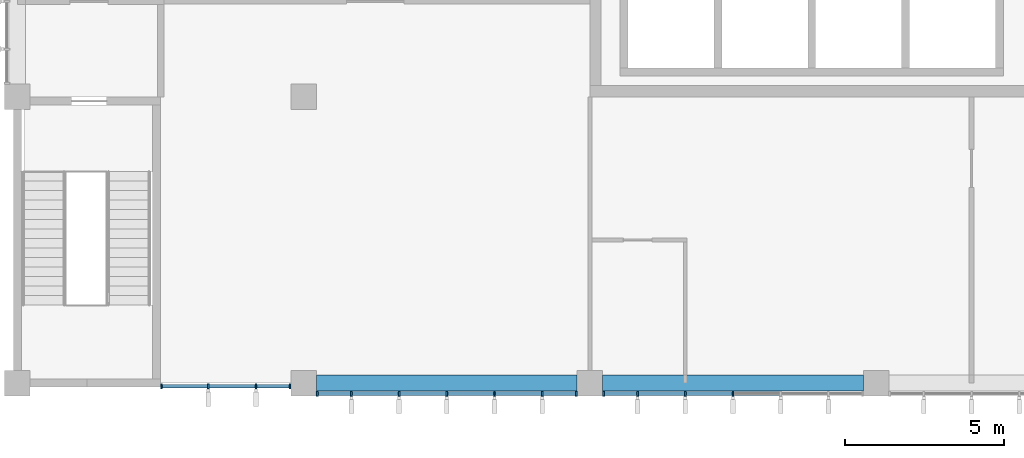
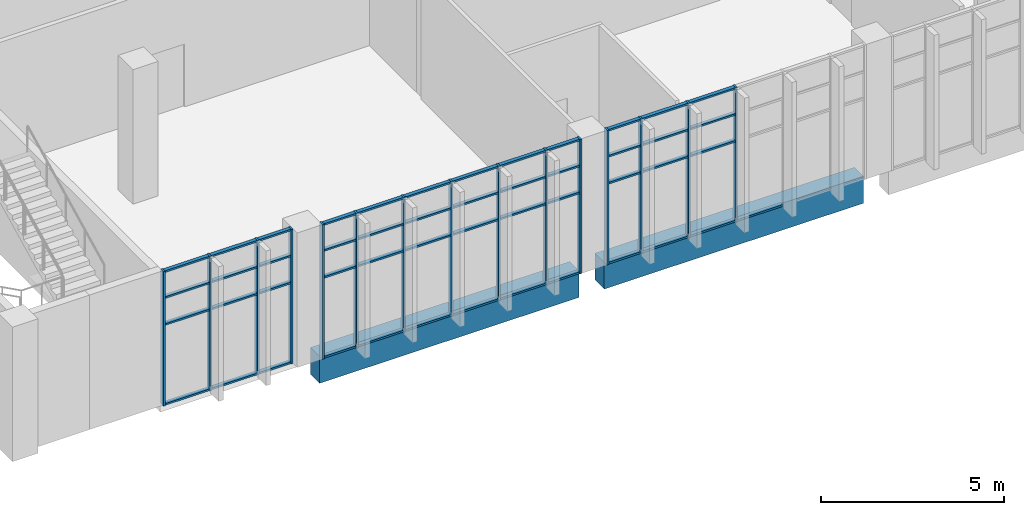
# One storey, part 19 of 43: 64 members, 2 beams, 3 elements without a shape of their own.
"""IFC4 building model written with IfcOpenShell, lengths in metres."""

from ifc_helpers import new_model, si_unit, direction, frame, origin, origin_2d, place, context, subcontext, project, spatial, rectangle, extrude, material, layer, layer_set, material_profile, profile_set, type_object, element, aggregate, save


model = new_model("IFC4")

# Units and contexts
model_context = context("Model", 3, precision=1e-05, world=origin(), true_north=direction((0.0, 1.0)))
body_context = subcontext(model_context, "Body", "Model", "MODEL_VIEW")
ifc_project = project(units=[si_unit("LENGTHUNIT", "METRE"), si_unit("AREAUNIT", "SQUARE_METRE"), si_unit("VOLUMEUNIT", "CUBIC_METRE"), si_unit("PLANEANGLEUNIT", "RADIAN"), si_unit("MASSUNIT", "GRAM", prefix="KILO")], contexts=[model_context])

# Site, building, storey
site_placement = place(None, origin())
site = spatial("IfcSite", under=ifc_project, at=site_placement, CompositionType="ELEMENT")
building_placement = place(site_placement, origin())
building = spatial("IfcBuilding", under=site, at=building_placement, Name="Guidao Yard Department Store", CompositionType="ELEMENT")
storey_placement = place(building_placement, frame((0.0, 0.0, 28.5)))
storey = spatial("IfcBuildingStorey", under=building, at=storey_placement, Name="L06", CompositionType="ELEMENT", Elevation=28.5)

# Curtain wall, members
ifc_material_1 = material(Name="Aluminium and glass", Category="aluminium")
ifc_layer = layer(ifc_material_1, 0.159912109375)
ifc_layer_set = layer_set([ifc_layer], Name="Unitised curtain wall CW4 1500 module")
curtain_wall_type = type_object("IfcCurtainWallType", Name="Unitised curtain wall CW4 1500 module", PredefinedType="NOTDEFINED", material=ifc_layer_set)
curtain_wall_1_placement = place(storey_placement, origin())
curtain_wall_1 = element("IfcCurtainWall", 1, at=curtain_wall_1_placement, inside=storey, type_object=curtain_wall_type, Name="Unitised curtain wall", PredefinedType="NOTDEFINED")
ifc_material_2 = material(Name="Aluminium 6063-T5", Category="aluminium")
ifc_material_profile_1 = material_profile(ifc_material_2, rectangle(XDim=0.06005859375, YDim=0.159912109375, at=origin_2d()), Name="Mullion M1 60 x 160 aluminium pressure plate")
ifc_profile_set_1 = profile_set([ifc_material_profile_1], Name="Aluminium 6063-T5")
member_type_1 = type_object("IfcMemberType", Name="Mullion M1 60 x 160 aluminium pressure plate", PredefinedType="MULLION", material=ifc_profile_set_1)
member_1_placement = place(storey_placement, frame((130.530029296875, -0.10009765625, 0.0), z_axis=(0.0, 0.0, 1.0), x_axis=(-1.0, 0.0, 0.0)))
member_1 = element("IfcMember", 2, at=member_1_placement, type_object=member_type_1, Name="CW-OW-L06-01 mullion 1", PredefinedType="MULLION", context=body_context, shape_type="SweptSolid", body=[
    extrude(rectangle(XDim=0.06005859375, YDim=0.159912109375, at=origin_2d()), origin(), (0.0, 0.0, 1.0), 4.5),
])
member_2_placement = place(storey_placement, frame((132.0, -0.10009765625, 0.0), z_axis=(0.0, 0.0, 1.0), x_axis=(-1.0, 0.0, 0.0)))
member_2 = element("IfcMember", 3, at=member_2_placement, type_object=member_type_1, Name="CW-OW-L06-01 mullion 2", PredefinedType="MULLION", context=body_context, shape_type="SweptSolid", body=[
    extrude(rectangle(XDim=0.06005859375, YDim=0.159912109375, at=origin_2d()), origin(), (0.0, 0.0, 1.0), 4.5),
])
member_3_placement = place(storey_placement, frame((133.5, -0.10009765625, 0.0), z_axis=(0.0, 0.0, 1.0), x_axis=(-1.0, 0.0, 0.0)))
member_3 = element("IfcMember", 4, at=member_3_placement, type_object=member_type_1, Name="CW-OW-L06-01 mullion 3", PredefinedType="MULLION", context=body_context, shape_type="SweptSolid", body=[
    extrude(rectangle(XDim=0.06005859375, YDim=0.159912109375, at=origin_2d()), origin(), (0.0, 0.0, 1.0), 4.5),
])
member_4_placement = place(storey_placement, frame((134.570068359375, -0.10009765625, 0.0), z_axis=(0.0, 0.0, 1.0), x_axis=(-1.0, 0.0, 0.0)))
member_4 = element("IfcMember", 5, at=member_4_placement, type_object=member_type_1, Name="CW-OW-L06-01 mullion 4", PredefinedType="MULLION", context=body_context, shape_type="SweptSolid", body=[
    extrude(rectangle(XDim=0.06005859375, YDim=0.159912109375, at=origin_2d()), origin(), (0.0, 0.0, 1.0), 4.5),
])

curtain_wall_2_placement = place(storey_placement, origin())
curtain_wall_2 = element("IfcCurtainWall", 6, at=curtain_wall_2_placement, inside=storey, type_object=curtain_wall_type, Name="Unitised curtain wall", PredefinedType="NOTDEFINED")
member_5_placement = place(storey_placement, frame((135.429931640625, -0.330078125, 0.0), z_axis=(0.0, 0.0, 1.0), x_axis=(-1.0, 0.0, 0.0)))
member_5 = element("IfcMember", 7, at=member_5_placement, type_object=member_type_1, Name="CW-OW-L06-02 mullion 1", PredefinedType="MULLION", context=body_context, shape_type="SweptSolid", body=[
    extrude(rectangle(XDim=0.06005859375, YDim=0.159912109375, at=origin_2d()), origin(), (0.0, 0.0, 1.0), 4.5),
])
member_6_placement = place(storey_placement, frame((136.5, -0.330078125, 0.0), z_axis=(0.0, 0.0, 1.0), x_axis=(-1.0, 0.0, 0.0)))
member_6 = element("IfcMember", 8, at=member_6_placement, type_object=member_type_1, Name="CW-OW-L06-02 mullion 2", PredefinedType="MULLION", context=body_context, shape_type="SweptSolid", body=[
    extrude(rectangle(XDim=0.06005859375, YDim=0.159912109375, at=origin_2d()), origin(), (0.0, 0.0, 1.0), 4.5),
])
member_7_placement = place(storey_placement, frame((138.0, -0.330078125, 0.0), z_axis=(0.0, 0.0, 1.0), x_axis=(-1.0, 0.0, 0.0)))
member_7 = element("IfcMember", 9, at=member_7_placement, type_object=member_type_1, Name="CW-OW-L06-02 mullion 3", PredefinedType="MULLION", context=body_context, shape_type="SweptSolid", body=[
    extrude(rectangle(XDim=0.06005859375, YDim=0.159912109375, at=origin_2d()), origin(), (0.0, 0.0, 1.0), 4.5),
])
member_8_placement = place(storey_placement, frame((139.5, -0.330078125, 0.0), z_axis=(0.0, 0.0, 1.0), x_axis=(-1.0, 0.0, 0.0)))
member_8 = element("IfcMember", 10, at=member_8_placement, type_object=member_type_1, Name="CW-OW-L06-02 mullion 4", PredefinedType="MULLION", context=body_context, shape_type="SweptSolid", body=[
    extrude(rectangle(XDim=0.06005859375, YDim=0.159912109375, at=origin_2d()), origin(), (0.0, 0.0, 1.0), 4.5),
])
member_9_placement = place(storey_placement, frame((141.0, -0.330078125, 0.0), z_axis=(0.0, 0.0, 1.0), x_axis=(-1.0, 0.0, 0.0)))
member_9 = element("IfcMember", 11, at=member_9_placement, type_object=member_type_1, Name="CW-OW-L06-02 mullion 5", PredefinedType="MULLION", context=body_context, shape_type="SweptSolid", body=[
    extrude(rectangle(XDim=0.06005859375, YDim=0.159912109375, at=origin_2d()), origin(), (0.0, 0.0, 1.0), 4.5),
])
member_10_placement = place(storey_placement, frame((142.5, -0.330078125, 0.0), z_axis=(0.0, 0.0, 1.0), x_axis=(-1.0, 0.0, 0.0)))
member_10 = element("IfcMember", 12, at=member_10_placement, type_object=member_type_1, Name="CW-OW-L06-02 mullion 6", PredefinedType="MULLION", context=body_context, shape_type="SweptSolid", body=[
    extrude(rectangle(XDim=0.06005859375, YDim=0.159912109375, at=origin_2d()), origin(), (0.0, 0.0, 1.0), 4.5),
])
member_11_placement = place(storey_placement, frame((143.570068359375, -0.330078125, 0.0), z_axis=(0.0, 0.0, 1.0), x_axis=(-1.0, 0.0, 0.0)))
member_11 = element("IfcMember", 13, at=member_11_placement, type_object=member_type_1, Name="CW-OW-L06-02 mullion 7", PredefinedType="MULLION", context=body_context, shape_type="SweptSolid", body=[
    extrude(rectangle(XDim=0.06005859375, YDim=0.159912109375, at=origin_2d()), origin(), (0.0, 0.0, 1.0), 4.5),
])

curtain_wall_3_placement = place(storey_placement, origin())
curtain_wall_3 = element("IfcCurtainWall", 14, at=curtain_wall_3_placement, inside=storey, type_object=curtain_wall_type, Name="Unitised curtain wall", PredefinedType="NOTDEFINED")
member_12_placement = place(storey_placement, frame((144.429931640625, -0.330078125, 0.0), z_axis=(0.0, 0.0, 1.0), x_axis=(-1.0, 0.0, 0.0)))
member_12 = element("IfcMember", 15, at=member_12_placement, type_object=member_type_1, Name="CW-OW-L06-03 mullion 1", PredefinedType="MULLION", context=body_context, shape_type="SweptSolid", body=[
    extrude(rectangle(XDim=0.06005859375, YDim=0.159912109375, at=origin_2d()), origin(), (0.0, 0.0, 1.0), 4.5),
])
member_13_placement = place(storey_placement, frame((145.5, -0.330078125, 0.0), z_axis=(0.0, 0.0, 1.0), x_axis=(-1.0, 0.0, 0.0)))
member_13 = element("IfcMember", 16, at=member_13_placement, type_object=member_type_1, Name="CW-OW-L06-03 mullion 2", PredefinedType="MULLION", context=body_context, shape_type="SweptSolid", body=[
    extrude(rectangle(XDim=0.06005859375, YDim=0.159912109375, at=origin_2d()), origin(), (0.0, 0.0, 1.0), 4.5),
])
member_14_placement = place(storey_placement, frame((147.0, -0.330078125, 0.0), z_axis=(0.0, 0.0, 1.0), x_axis=(-1.0, 0.0, 0.0)))
member_14 = element("IfcMember", 17, at=member_14_placement, type_object=member_type_1, Name="CW-OW-L06-03 mullion 3", PredefinedType="MULLION", context=body_context, shape_type="SweptSolid", body=[
    extrude(rectangle(XDim=0.06005859375, YDim=0.159912109375, at=origin_2d()), origin(), (0.0, 0.0, 1.0), 4.5),
])
member_15_placement = place(storey_placement, frame((148.5, -0.330078125, 0.0), z_axis=(0.0, 0.0, 1.0), x_axis=(-1.0, 0.0, 0.0)))
member_15 = element("IfcMember", 18, at=member_15_placement, type_object=member_type_1, Name="CW-OW-L06-03 mullion 4", PredefinedType="MULLION", context=body_context, shape_type="SweptSolid", body=[
    extrude(rectangle(XDim=0.06005859375, YDim=0.159912109375, at=origin_2d()), origin(), (0.0, 0.0, 1.0), 4.5),
])

# Beams
ifc_material_3 = material(Name="Concrete C40", Category="concrete")
ifc_material_profile_2 = material_profile(ifc_material_3, rectangle(XDim=0.5, YDim=0.89990234375, at=origin_2d()), Name="Spandrel beam 500 x 900 C40")
ifc_profile_set_2 = profile_set([ifc_material_profile_2], Name="Concrete C40")
beam_type = type_object("IfcBeamType", Name="Spandrel beam 500 x 900 C40", PredefinedType="SPANDREL", material=ifc_profile_set_2)
for number, where, z_axis, x_axis, name in (
    (19, (135.39990234375, 0.0, -0.449951171875), (1.0, 0.0, 0.0), (0.0, 1.0, 0.0), "Beam FB01"),
    (20, (144.39990234375, 0.0, -0.449951171875), (1.0, 0.0, 0.0), (0.0, 1.0, 0.0), "Beam FB02"),
):
    element("IfcBeam", number, at=place(storey_placement, frame(where, z_axis=z_axis, x_axis=x_axis)), inside=storey, type_object=beam_type, Name=name, PredefinedType="SPANDREL", context=body_context, shape_type="SweptSolid", body=[
        extrude(rectangle(XDim=0.5, YDim=0.89990234375, at=origin_2d()), origin(), (0.0, 0.0, 1.0), 8.2001953125),
    ])

# Member
ifc_material_4 = material(Name="Aluminium 6063-T5", Category="aluminium")
ifc_material_profile_3 = material_profile(ifc_material_4, rectangle(XDim=0.1201171875, YDim=0.06005859375, at=origin_2d()), Name="Transom T1 60 x 120 aluminium pressure plate")
ifc_profile_set_3 = profile_set([ifc_material_profile_3], Name="Aluminium 6063-T5")
member_type_2 = type_object("IfcMemberType", Name="Transom T1 60 x 120 aluminium pressure plate", PredefinedType="USERDEFINED", material=ifc_profile_set_3)
member_16_placement = place(storey_placement, frame((131.969970703125, -0.10009765625, 0.030029296875), z_axis=(-1.0, 0.0, 0.0), x_axis=(0.0, -1.0, 0.0)))
member_16 = element("IfcMember", 21, at=member_16_placement, type_object=member_type_2, Name="CW-OW-L06-01 transom 1.1", ObjectType="TRANSOM", PredefinedType="USERDEFINED", context=body_context, shape_type="SweptSolid", body=[
    extrude(rectangle(XDim=0.1201171875, YDim=0.06005859375, at=origin_2d()), origin(), (0.0, 0.0, 1.0), 1.409912109375),
])

member_17_placement = place(storey_placement, frame((131.969970703125, -0.10009765625, 2.699951171875), z_axis=(-1.0, 0.0, 0.0), x_axis=(0.0, -1.0, 0.0)))
member_17 = element("IfcMember", 22, at=member_17_placement, type_object=member_type_2, Name="CW-OW-L06-01 transom 1.2", ObjectType="TRANSOM", PredefinedType="USERDEFINED", context=body_context, shape_type="SweptSolid", body=[
    extrude(rectangle(XDim=0.1201171875, YDim=0.06005859375, at=origin_2d()), origin(), (0.0, 0.0, 1.0), 1.409912109375),
])

member_18_placement = place(storey_placement, frame((131.969970703125, -0.10009765625, 3.60009765625), z_axis=(-1.0, 0.0, 0.0), x_axis=(0.0, -1.0, 0.0)))
member_18 = element("IfcMember", 23, at=member_18_placement, type_object=member_type_2, Name="CW-OW-L06-01 transom 1.3", ObjectType="TRANSOM", PredefinedType="USERDEFINED", context=body_context, shape_type="SweptSolid", body=[
    extrude(rectangle(XDim=0.1201171875, YDim=0.06005859375, at=origin_2d()), origin(), (0.0, 0.0, 1.0), 1.409912109375),
])

member_19_placement = place(storey_placement, frame((131.969970703125, -0.10009765625, 4.469970703125), z_axis=(-1.0, 0.0, 0.0), x_axis=(0.0, -1.0, 0.0)))
member_19 = element("IfcMember", 24, at=member_19_placement, type_object=member_type_2, Name="CW-OW-L06-01 transom 1.4", ObjectType="TRANSOM", PredefinedType="USERDEFINED", context=body_context, shape_type="SweptSolid", body=[
    extrude(rectangle(XDim=0.1201171875, YDim=0.06005859375, at=origin_2d()), origin(), (0.0, 0.0, 1.0), 1.409912109375),
])

member_20_placement = place(storey_placement, frame((133.469970703125, -0.10009765625, 0.030029296875), z_axis=(-1.0, 0.0, 0.0), x_axis=(0.0, -1.0, 0.0)))
member_20 = element("IfcMember", 25, at=member_20_placement, type_object=member_type_2, Name="CW-OW-L06-01 transom 2.1", ObjectType="TRANSOM", PredefinedType="USERDEFINED", context=body_context, shape_type="SweptSolid", body=[
    extrude(rectangle(XDim=0.1201171875, YDim=0.06005859375, at=origin_2d()), origin(), (0.0, 0.0, 1.0), 1.43994140625),
])

member_21_placement = place(storey_placement, frame((133.469970703125, -0.10009765625, 2.699951171875), z_axis=(-1.0, 0.0, 0.0), x_axis=(0.0, -1.0, 0.0)))
member_21 = element("IfcMember", 26, at=member_21_placement, type_object=member_type_2, Name="CW-OW-L06-01 transom 2.2", ObjectType="TRANSOM", PredefinedType="USERDEFINED", context=body_context, shape_type="SweptSolid", body=[
    extrude(rectangle(XDim=0.1201171875, YDim=0.06005859375, at=origin_2d()), origin(), (0.0, 0.0, 1.0), 1.43994140625),
])

member_22_placement = place(storey_placement, frame((133.469970703125, -0.10009765625, 3.60009765625), z_axis=(-1.0, 0.0, 0.0), x_axis=(0.0, -1.0, 0.0)))
member_22 = element("IfcMember", 27, at=member_22_placement, type_object=member_type_2, Name="CW-OW-L06-01 transom 2.3", ObjectType="TRANSOM", PredefinedType="USERDEFINED", context=body_context, shape_type="SweptSolid", body=[
    extrude(rectangle(XDim=0.1201171875, YDim=0.06005859375, at=origin_2d()), origin(), (0.0, 0.0, 1.0), 1.43994140625),
])

member_23_placement = place(storey_placement, frame((133.469970703125, -0.10009765625, 4.469970703125), z_axis=(-1.0, 0.0, 0.0), x_axis=(0.0, -1.0, 0.0)))
member_23 = element("IfcMember", 28, at=member_23_placement, type_object=member_type_2, Name="CW-OW-L06-01 transom 2.4", ObjectType="TRANSOM", PredefinedType="USERDEFINED", context=body_context, shape_type="SweptSolid", body=[
    extrude(rectangle(XDim=0.1201171875, YDim=0.06005859375, at=origin_2d()), origin(), (0.0, 0.0, 1.0), 1.43994140625),
])

member_24_placement = place(storey_placement, frame((134.5400390625, -0.10009765625, 0.030029296875), z_axis=(-1.0, 0.0, 0.0), x_axis=(0.0, -1.0, 0.0)))
member_24 = element("IfcMember", 29, at=member_24_placement, type_object=member_type_2, Name="CW-OW-L06-01 transom 3.1", ObjectType="TRANSOM", PredefinedType="USERDEFINED", context=body_context, shape_type="SweptSolid", body=[
    extrude(rectangle(XDim=0.1201171875, YDim=0.06005859375, at=origin_2d()), origin(), (0.0, 0.0, 1.0), 1.010009765625),
])

member_25_placement = place(storey_placement, frame((134.5400390625, -0.10009765625, 2.699951171875), z_axis=(-1.0, 0.0, 0.0), x_axis=(0.0, -1.0, 0.0)))
member_25 = element("IfcMember", 30, at=member_25_placement, type_object=member_type_2, Name="CW-OW-L06-01 transom 3.2", ObjectType="TRANSOM", PredefinedType="USERDEFINED", context=body_context, shape_type="SweptSolid", body=[
    extrude(rectangle(XDim=0.1201171875, YDim=0.06005859375, at=origin_2d()), origin(), (0.0, 0.0, 1.0), 1.010009765625),
])

member_26_placement = place(storey_placement, frame((134.5400390625, -0.10009765625, 3.60009765625), z_axis=(-1.0, 0.0, 0.0), x_axis=(0.0, -1.0, 0.0)))
member_26 = element("IfcMember", 31, at=member_26_placement, type_object=member_type_2, Name="CW-OW-L06-01 transom 3.3", ObjectType="TRANSOM", PredefinedType="USERDEFINED", context=body_context, shape_type="SweptSolid", body=[
    extrude(rectangle(XDim=0.1201171875, YDim=0.06005859375, at=origin_2d()), origin(), (0.0, 0.0, 1.0), 1.010009765625),
])

member_27_placement = place(storey_placement, frame((134.5400390625, -0.10009765625, 4.469970703125), z_axis=(-1.0, 0.0, 0.0), x_axis=(0.0, -1.0, 0.0)))
member_27 = element("IfcMember", 32, at=member_27_placement, type_object=member_type_2, Name="CW-OW-L06-01 transom 3.4", ObjectType="TRANSOM", PredefinedType="USERDEFINED", context=body_context, shape_type="SweptSolid", body=[
    extrude(rectangle(XDim=0.1201171875, YDim=0.06005859375, at=origin_2d()), origin(), (0.0, 0.0, 1.0), 1.010009765625),
])

aggregate(curtain_wall_1, [member_1, member_2, member_3, member_4, member_16, member_17, member_18, member_19, member_20, member_21, member_22, member_23, member_24, member_25, member_26, member_27])

member_28_placement = place(storey_placement, frame((136.469970703125, -0.330078125, 0.030029296875), z_axis=(-1.0, 0.0, 0.0), x_axis=(0.0, -1.0, 0.0)))
member_28 = element("IfcMember", 33, at=member_28_placement, type_object=member_type_2, Name="CW-OW-L06-02 transom 1.1", ObjectType="TRANSOM", PredefinedType="USERDEFINED", context=body_context, shape_type="SweptSolid", body=[
    extrude(rectangle(XDim=0.1201171875, YDim=0.06005859375, at=origin_2d()), origin(), (0.0, 0.0, 1.0), 1.010009765625),
])

member_29_placement = place(storey_placement, frame((136.469970703125, -0.330078125, 2.699951171875), z_axis=(-1.0, 0.0, 0.0), x_axis=(0.0, -1.0, 0.0)))
member_29 = element("IfcMember", 34, at=member_29_placement, type_object=member_type_2, Name="CW-OW-L06-02 transom 1.2", ObjectType="TRANSOM", PredefinedType="USERDEFINED", context=body_context, shape_type="SweptSolid", body=[
    extrude(rectangle(XDim=0.1201171875, YDim=0.06005859375, at=origin_2d()), origin(), (0.0, 0.0, 1.0), 1.010009765625),
])

member_30_placement = place(storey_placement, frame((136.469970703125, -0.330078125, 3.60009765625), z_axis=(-1.0, 0.0, 0.0), x_axis=(0.0, -1.0, 0.0)))
member_30 = element("IfcMember", 35, at=member_30_placement, type_object=member_type_2, Name="CW-OW-L06-02 transom 1.3", ObjectType="TRANSOM", PredefinedType="USERDEFINED", context=body_context, shape_type="SweptSolid", body=[
    extrude(rectangle(XDim=0.1201171875, YDim=0.06005859375, at=origin_2d()), origin(), (0.0, 0.0, 1.0), 1.010009765625),
])

member_31_placement = place(storey_placement, frame((136.469970703125, -0.330078125, 4.469970703125), z_axis=(-1.0, 0.0, 0.0), x_axis=(0.0, -1.0, 0.0)))
member_31 = element("IfcMember", 36, at=member_31_placement, type_object=member_type_2, Name="CW-OW-L06-02 transom 1.4", ObjectType="TRANSOM", PredefinedType="USERDEFINED", context=body_context, shape_type="SweptSolid", body=[
    extrude(rectangle(XDim=0.1201171875, YDim=0.06005859375, at=origin_2d()), origin(), (0.0, 0.0, 1.0), 1.010009765625),
])

member_32_placement = place(storey_placement, frame((137.969970703125, -0.330078125, 0.030029296875), z_axis=(-1.0, 0.0, 0.0), x_axis=(0.0, -1.0, 0.0)))
member_32 = element("IfcMember", 37, at=member_32_placement, type_object=member_type_2, Name="CW-OW-L06-02 transom 2.1", ObjectType="TRANSOM", PredefinedType="USERDEFINED", context=body_context, shape_type="SweptSolid", body=[
    extrude(rectangle(XDim=0.1201171875, YDim=0.06005859375, at=origin_2d()), origin(), (0.0, 0.0, 1.0), 1.43994140625),
])

member_33_placement = place(storey_placement, frame((137.969970703125, -0.330078125, 2.699951171875), z_axis=(-1.0, 0.0, 0.0), x_axis=(0.0, -1.0, 0.0)))
member_33 = element("IfcMember", 38, at=member_33_placement, type_object=member_type_2, Name="CW-OW-L06-02 transom 2.2", ObjectType="TRANSOM", PredefinedType="USERDEFINED", context=body_context, shape_type="SweptSolid", body=[
    extrude(rectangle(XDim=0.1201171875, YDim=0.06005859375, at=origin_2d()), origin(), (0.0, 0.0, 1.0), 1.43994140625),
])

member_34_placement = place(storey_placement, frame((137.969970703125, -0.330078125, 3.60009765625), z_axis=(-1.0, 0.0, 0.0), x_axis=(0.0, -1.0, 0.0)))
member_34 = element("IfcMember", 39, at=member_34_placement, type_object=member_type_2, Name="CW-OW-L06-02 transom 2.3", ObjectType="TRANSOM", PredefinedType="USERDEFINED", context=body_context, shape_type="SweptSolid", body=[
    extrude(rectangle(XDim=0.1201171875, YDim=0.06005859375, at=origin_2d()), origin(), (0.0, 0.0, 1.0), 1.43994140625),
])

member_35_placement = place(storey_placement, frame((137.969970703125, -0.330078125, 4.469970703125), z_axis=(-1.0, 0.0, 0.0), x_axis=(0.0, -1.0, 0.0)))
member_35 = element("IfcMember", 40, at=member_35_placement, type_object=member_type_2, Name="CW-OW-L06-02 transom 2.4", ObjectType="TRANSOM", PredefinedType="USERDEFINED", context=body_context, shape_type="SweptSolid", body=[
    extrude(rectangle(XDim=0.1201171875, YDim=0.06005859375, at=origin_2d()), origin(), (0.0, 0.0, 1.0), 1.43994140625),
])

member_36_placement = place(storey_placement, frame((139.469970703125, -0.330078125, 0.030029296875), z_axis=(-1.0, 0.0, 0.0), x_axis=(0.0, -1.0, 0.0)))
member_36 = element("IfcMember", 41, at=member_36_placement, type_object=member_type_2, Name="CW-OW-L06-02 transom 3.1", ObjectType="TRANSOM", PredefinedType="USERDEFINED", context=body_context, shape_type="SweptSolid", body=[
    extrude(rectangle(XDim=0.1201171875, YDim=0.06005859375, at=origin_2d()), origin(), (0.0, 0.0, 1.0), 1.43994140625),
])

member_37_placement = place(storey_placement, frame((139.469970703125, -0.330078125, 2.699951171875), z_axis=(-1.0, 0.0, 0.0), x_axis=(0.0, -1.0, 0.0)))
member_37 = element("IfcMember", 42, at=member_37_placement, type_object=member_type_2, Name="CW-OW-L06-02 transom 3.2", ObjectType="TRANSOM", PredefinedType="USERDEFINED", context=body_context, shape_type="SweptSolid", body=[
    extrude(rectangle(XDim=0.1201171875, YDim=0.06005859375, at=origin_2d()), origin(), (0.0, 0.0, 1.0), 1.43994140625),
])

member_38_placement = place(storey_placement, frame((139.469970703125, -0.330078125, 3.60009765625), z_axis=(-1.0, 0.0, 0.0), x_axis=(0.0, -1.0, 0.0)))
member_38 = element("IfcMember", 43, at=member_38_placement, type_object=member_type_2, Name="CW-OW-L06-02 transom 3.3", ObjectType="TRANSOM", PredefinedType="USERDEFINED", context=body_context, shape_type="SweptSolid", body=[
    extrude(rectangle(XDim=0.1201171875, YDim=0.06005859375, at=origin_2d()), origin(), (0.0, 0.0, 1.0), 1.43994140625),
])

member_39_placement = place(storey_placement, frame((139.469970703125, -0.330078125, 4.469970703125), z_axis=(-1.0, 0.0, 0.0), x_axis=(0.0, -1.0, 0.0)))
member_39 = element("IfcMember", 44, at=member_39_placement, type_object=member_type_2, Name="CW-OW-L06-02 transom 3.4", ObjectType="TRANSOM", PredefinedType="USERDEFINED", context=body_context, shape_type="SweptSolid", body=[
    extrude(rectangle(XDim=0.1201171875, YDim=0.06005859375, at=origin_2d()), origin(), (0.0, 0.0, 1.0), 1.43994140625),
])

member_40_placement = place(storey_placement, frame((140.969970703125, -0.330078125, 0.030029296875), z_axis=(-1.0, 0.0, 0.0), x_axis=(0.0, -1.0, 0.0)))
member_40 = element("IfcMember", 45, at=member_40_placement, type_object=member_type_2, Name="CW-OW-L06-02 transom 4.1", ObjectType="TRANSOM", PredefinedType="USERDEFINED", context=body_context, shape_type="SweptSolid", body=[
    extrude(rectangle(XDim=0.1201171875, YDim=0.06005859375, at=origin_2d()), origin(), (0.0, 0.0, 1.0), 1.43994140625),
])

member_41_placement = place(storey_placement, frame((140.969970703125, -0.330078125, 2.699951171875), z_axis=(-1.0, 0.0, 0.0), x_axis=(0.0, -1.0, 0.0)))
member_41 = element("IfcMember", 46, at=member_41_placement, type_object=member_type_2, Name="CW-OW-L06-02 transom 4.2", ObjectType="TRANSOM", PredefinedType="USERDEFINED", context=body_context, shape_type="SweptSolid", body=[
    extrude(rectangle(XDim=0.1201171875, YDim=0.06005859375, at=origin_2d()), origin(), (0.0, 0.0, 1.0), 1.43994140625),
])

member_42_placement = place(storey_placement, frame((140.969970703125, -0.330078125, 3.60009765625), z_axis=(-1.0, 0.0, 0.0), x_axis=(0.0, -1.0, 0.0)))
member_42 = element("IfcMember", 47, at=member_42_placement, type_object=member_type_2, Name="CW-OW-L06-02 transom 4.3", ObjectType="TRANSOM", PredefinedType="USERDEFINED", context=body_context, shape_type="SweptSolid", body=[
    extrude(rectangle(XDim=0.1201171875, YDim=0.06005859375, at=origin_2d()), origin(), (0.0, 0.0, 1.0), 1.43994140625),
])

member_43_placement = place(storey_placement, frame((140.969970703125, -0.330078125, 4.469970703125), z_axis=(-1.0, 0.0, 0.0), x_axis=(0.0, -1.0, 0.0)))
member_43 = element("IfcMember", 48, at=member_43_placement, type_object=member_type_2, Name="CW-OW-L06-02 transom 4.4", ObjectType="TRANSOM", PredefinedType="USERDEFINED", context=body_context, shape_type="SweptSolid", body=[
    extrude(rectangle(XDim=0.1201171875, YDim=0.06005859375, at=origin_2d()), origin(), (0.0, 0.0, 1.0), 1.43994140625),
])

member_44_placement = place(storey_placement, frame((142.469970703125, -0.330078125, 0.030029296875), z_axis=(-1.0, 0.0, 0.0), x_axis=(0.0, -1.0, 0.0)))
member_44 = element("IfcMember", 49, at=member_44_placement, type_object=member_type_2, Name="CW-OW-L06-02 transom 5.1", ObjectType="TRANSOM", PredefinedType="USERDEFINED", context=body_context, shape_type="SweptSolid", body=[
    extrude(rectangle(XDim=0.1201171875, YDim=0.06005859375, at=origin_2d()), origin(), (0.0, 0.0, 1.0), 1.43994140625),
])

member_45_placement = place(storey_placement, frame((142.469970703125, -0.330078125, 2.699951171875), z_axis=(-1.0, 0.0, 0.0), x_axis=(0.0, -1.0, 0.0)))
member_45 = element("IfcMember", 50, at=member_45_placement, type_object=member_type_2, Name="CW-OW-L06-02 transom 5.2", ObjectType="TRANSOM", PredefinedType="USERDEFINED", context=body_context, shape_type="SweptSolid", body=[
    extrude(rectangle(XDim=0.1201171875, YDim=0.06005859375, at=origin_2d()), origin(), (0.0, 0.0, 1.0), 1.43994140625),
])

member_46_placement = place(storey_placement, frame((142.469970703125, -0.330078125, 3.60009765625), z_axis=(-1.0, 0.0, 0.0), x_axis=(0.0, -1.0, 0.0)))
member_46 = element("IfcMember", 51, at=member_46_placement, type_object=member_type_2, Name="CW-OW-L06-02 transom 5.3", ObjectType="TRANSOM", PredefinedType="USERDEFINED", context=body_context, shape_type="SweptSolid", body=[
    extrude(rectangle(XDim=0.1201171875, YDim=0.06005859375, at=origin_2d()), origin(), (0.0, 0.0, 1.0), 1.43994140625),
])

member_47_placement = place(storey_placement, frame((142.469970703125, -0.330078125, 4.469970703125), z_axis=(-1.0, 0.0, 0.0), x_axis=(0.0, -1.0, 0.0)))
member_47 = element("IfcMember", 52, at=member_47_placement, type_object=member_type_2, Name="CW-OW-L06-02 transom 5.4", ObjectType="TRANSOM", PredefinedType="USERDEFINED", context=body_context, shape_type="SweptSolid", body=[
    extrude(rectangle(XDim=0.1201171875, YDim=0.06005859375, at=origin_2d()), origin(), (0.0, 0.0, 1.0), 1.43994140625),
])

member_48_placement = place(storey_placement, frame((143.5400390625, -0.330078125, 0.030029296875), z_axis=(-1.0, 0.0, 0.0), x_axis=(0.0, -1.0, 0.0)))
member_48 = element("IfcMember", 53, at=member_48_placement, type_object=member_type_2, Name="CW-OW-L06-02 transom 6.1", ObjectType="TRANSOM", PredefinedType="USERDEFINED", context=body_context, shape_type="SweptSolid", body=[
    extrude(rectangle(XDim=0.1201171875, YDim=0.06005859375, at=origin_2d()), origin(), (0.0, 0.0, 1.0), 1.010009765625),
])

member_49_placement = place(storey_placement, frame((143.5400390625, -0.330078125, 2.699951171875), z_axis=(-1.0, 0.0, 0.0), x_axis=(0.0, -1.0, 0.0)))
member_49 = element("IfcMember", 54, at=member_49_placement, type_object=member_type_2, Name="CW-OW-L06-02 transom 6.2", ObjectType="TRANSOM", PredefinedType="USERDEFINED", context=body_context, shape_type="SweptSolid", body=[
    extrude(rectangle(XDim=0.1201171875, YDim=0.06005859375, at=origin_2d()), origin(), (0.0, 0.0, 1.0), 1.010009765625),
])

member_50_placement = place(storey_placement, frame((143.5400390625, -0.330078125, 3.60009765625), z_axis=(-1.0, 0.0, 0.0), x_axis=(0.0, -1.0, 0.0)))
member_50 = element("IfcMember", 55, at=member_50_placement, type_object=member_type_2, Name="CW-OW-L06-02 transom 6.3", ObjectType="TRANSOM", PredefinedType="USERDEFINED", context=body_context, shape_type="SweptSolid", body=[
    extrude(rectangle(XDim=0.1201171875, YDim=0.06005859375, at=origin_2d()), origin(), (0.0, 0.0, 1.0), 1.010009765625),
])

member_51_placement = place(storey_placement, frame((143.5400390625, -0.330078125, 4.469970703125), z_axis=(-1.0, 0.0, 0.0), x_axis=(0.0, -1.0, 0.0)))
member_51 = element("IfcMember", 56, at=member_51_placement, type_object=member_type_2, Name="CW-OW-L06-02 transom 6.4", ObjectType="TRANSOM", PredefinedType="USERDEFINED", context=body_context, shape_type="SweptSolid", body=[
    extrude(rectangle(XDim=0.1201171875, YDim=0.06005859375, at=origin_2d()), origin(), (0.0, 0.0, 1.0), 1.010009765625),
])

aggregate(curtain_wall_2, [member_5, member_6, member_7, member_8, member_9, member_10, member_11, member_28, member_29, member_30, member_31, member_32, member_33, member_34, member_35, member_36, member_37, member_38, member_39, member_40, member_41, member_42, member_43, member_44, member_45, member_46, member_47, member_48, member_49, member_50, member_51])

member_52_placement = place(storey_placement, frame((145.469970703125, -0.330078125, 0.030029296875), z_axis=(-1.0, 0.0, 0.0), x_axis=(0.0, -1.0, 0.0)))
member_52 = element("IfcMember", 57, at=member_52_placement, type_object=member_type_2, Name="CW-OW-L06-03 transom 1.1", ObjectType="TRANSOM", PredefinedType="USERDEFINED", context=body_context, shape_type="SweptSolid", body=[
    extrude(rectangle(XDim=0.1201171875, YDim=0.06005859375, at=origin_2d()), origin(), (0.0, 0.0, 1.0), 1.010009765625),
])

member_53_placement = place(storey_placement, frame((145.469970703125, -0.330078125, 2.699951171875), z_axis=(-1.0, 0.0, 0.0), x_axis=(0.0, -1.0, 0.0)))
member_53 = element("IfcMember", 58, at=member_53_placement, type_object=member_type_2, Name="CW-OW-L06-03 transom 1.2", ObjectType="TRANSOM", PredefinedType="USERDEFINED", context=body_context, shape_type="SweptSolid", body=[
    extrude(rectangle(XDim=0.1201171875, YDim=0.06005859375, at=origin_2d()), origin(), (0.0, 0.0, 1.0), 1.010009765625),
])

member_54_placement = place(storey_placement, frame((145.469970703125, -0.330078125, 3.60009765625), z_axis=(-1.0, 0.0, 0.0), x_axis=(0.0, -1.0, 0.0)))
member_54 = element("IfcMember", 59, at=member_54_placement, type_object=member_type_2, Name="CW-OW-L06-03 transom 1.3", ObjectType="TRANSOM", PredefinedType="USERDEFINED", context=body_context, shape_type="SweptSolid", body=[
    extrude(rectangle(XDim=0.1201171875, YDim=0.06005859375, at=origin_2d()), origin(), (0.0, 0.0, 1.0), 1.010009765625),
])

member_55_placement = place(storey_placement, frame((145.469970703125, -0.330078125, 4.469970703125), z_axis=(-1.0, 0.0, 0.0), x_axis=(0.0, -1.0, 0.0)))
member_55 = element("IfcMember", 60, at=member_55_placement, type_object=member_type_2, Name="CW-OW-L06-03 transom 1.4", ObjectType="TRANSOM", PredefinedType="USERDEFINED", context=body_context, shape_type="SweptSolid", body=[
    extrude(rectangle(XDim=0.1201171875, YDim=0.06005859375, at=origin_2d()), origin(), (0.0, 0.0, 1.0), 1.010009765625),
])

member_56_placement = place(storey_placement, frame((146.969970703125, -0.330078125, 0.030029296875), z_axis=(-1.0, 0.0, 0.0), x_axis=(0.0, -1.0, 0.0)))
member_56 = element("IfcMember", 61, at=member_56_placement, type_object=member_type_2, Name="CW-OW-L06-03 transom 2.1", ObjectType="TRANSOM", PredefinedType="USERDEFINED", context=body_context, shape_type="SweptSolid", body=[
    extrude(rectangle(XDim=0.1201171875, YDim=0.06005859375, at=origin_2d()), origin(), (0.0, 0.0, 1.0), 1.43994140625),
])

member_57_placement = place(storey_placement, frame((146.969970703125, -0.330078125, 2.699951171875), z_axis=(-1.0, 0.0, 0.0), x_axis=(0.0, -1.0, 0.0)))
member_57 = element("IfcMember", 62, at=member_57_placement, type_object=member_type_2, Name="CW-OW-L06-03 transom 2.2", ObjectType="TRANSOM", PredefinedType="USERDEFINED", context=body_context, shape_type="SweptSolid", body=[
    extrude(rectangle(XDim=0.1201171875, YDim=0.06005859375, at=origin_2d()), origin(), (0.0, 0.0, 1.0), 1.43994140625),
])

member_58_placement = place(storey_placement, frame((146.969970703125, -0.330078125, 3.60009765625), z_axis=(-1.0, 0.0, 0.0), x_axis=(0.0, -1.0, 0.0)))
member_58 = element("IfcMember", 63, at=member_58_placement, type_object=member_type_2, Name="CW-OW-L06-03 transom 2.3", ObjectType="TRANSOM", PredefinedType="USERDEFINED", context=body_context, shape_type="SweptSolid", body=[
    extrude(rectangle(XDim=0.1201171875, YDim=0.06005859375, at=origin_2d()), origin(), (0.0, 0.0, 1.0), 1.43994140625),
])

member_59_placement = place(storey_placement, frame((146.969970703125, -0.330078125, 4.469970703125), z_axis=(-1.0, 0.0, 0.0), x_axis=(0.0, -1.0, 0.0)))
member_59 = element("IfcMember", 64, at=member_59_placement, type_object=member_type_2, Name="CW-OW-L06-03 transom 2.4", ObjectType="TRANSOM", PredefinedType="USERDEFINED", context=body_context, shape_type="SweptSolid", body=[
    extrude(rectangle(XDim=0.1201171875, YDim=0.06005859375, at=origin_2d()), origin(), (0.0, 0.0, 1.0), 1.43994140625),
])

member_60_placement = place(storey_placement, frame((148.469970703125, -0.330078125, 0.030029296875), z_axis=(-1.0, 0.0, 0.0), x_axis=(0.0, -1.0, 0.0)))
member_60 = element("IfcMember", 65, at=member_60_placement, type_object=member_type_2, Name="CW-OW-L06-03 transom 3.1", ObjectType="TRANSOM", PredefinedType="USERDEFINED", context=body_context, shape_type="SweptSolid", body=[
    extrude(rectangle(XDim=0.1201171875, YDim=0.06005859375, at=origin_2d()), origin(), (0.0, 0.0, 1.0), 1.43994140625),
])

member_61_placement = place(storey_placement, frame((148.469970703125, -0.330078125, 2.699951171875), z_axis=(-1.0, 0.0, 0.0), x_axis=(0.0, -1.0, 0.0)))
member_61 = element("IfcMember", 66, at=member_61_placement, type_object=member_type_2, Name="CW-OW-L06-03 transom 3.2", ObjectType="TRANSOM", PredefinedType="USERDEFINED", context=body_context, shape_type="SweptSolid", body=[
    extrude(rectangle(XDim=0.1201171875, YDim=0.06005859375, at=origin_2d()), origin(), (0.0, 0.0, 1.0), 1.43994140625),
])

member_62_placement = place(storey_placement, frame((148.469970703125, -0.330078125, 3.60009765625), z_axis=(-1.0, 0.0, 0.0), x_axis=(0.0, -1.0, 0.0)))
member_62 = element("IfcMember", 67, at=member_62_placement, type_object=member_type_2, Name="CW-OW-L06-03 transom 3.3", ObjectType="TRANSOM", PredefinedType="USERDEFINED", context=body_context, shape_type="SweptSolid", body=[
    extrude(rectangle(XDim=0.1201171875, YDim=0.06005859375, at=origin_2d()), origin(), (0.0, 0.0, 1.0), 1.43994140625),
])

member_63_placement = place(storey_placement, frame((148.469970703125, -0.330078125, 4.469970703125), z_axis=(-1.0, 0.0, 0.0), x_axis=(0.0, -1.0, 0.0)))
member_63 = element("IfcMember", 68, at=member_63_placement, type_object=member_type_2, Name="CW-OW-L06-03 transom 3.4", ObjectType="TRANSOM", PredefinedType="USERDEFINED", context=body_context, shape_type="SweptSolid", body=[
    extrude(rectangle(XDim=0.1201171875, YDim=0.06005859375, at=origin_2d()), origin(), (0.0, 0.0, 1.0), 1.43994140625),
])

member_64_placement = place(storey_placement, frame((149.969970703125, -0.330078125, 0.030029296875), z_axis=(-1.0, 0.0, 0.0), x_axis=(0.0, -1.0, 0.0)))
member_64 = element("IfcMember", 69, at=member_64_placement, type_object=member_type_2, Name="CW-OW-L06-03 transom 4.1", ObjectType="TRANSOM", PredefinedType="USERDEFINED", context=body_context, shape_type="SweptSolid", body=[
    extrude(rectangle(XDim=0.1201171875, YDim=0.06005859375, at=origin_2d()), origin(), (0.0, 0.0, 1.0), 1.43994140625),
])

aggregate(curtain_wall_3, [member_12, member_13, member_14, member_15, member_52, member_53, member_54, member_55, member_56, member_57, member_58, member_59, member_60, member_61, member_62, member_63, member_64])

save(model, "model.ifc")
